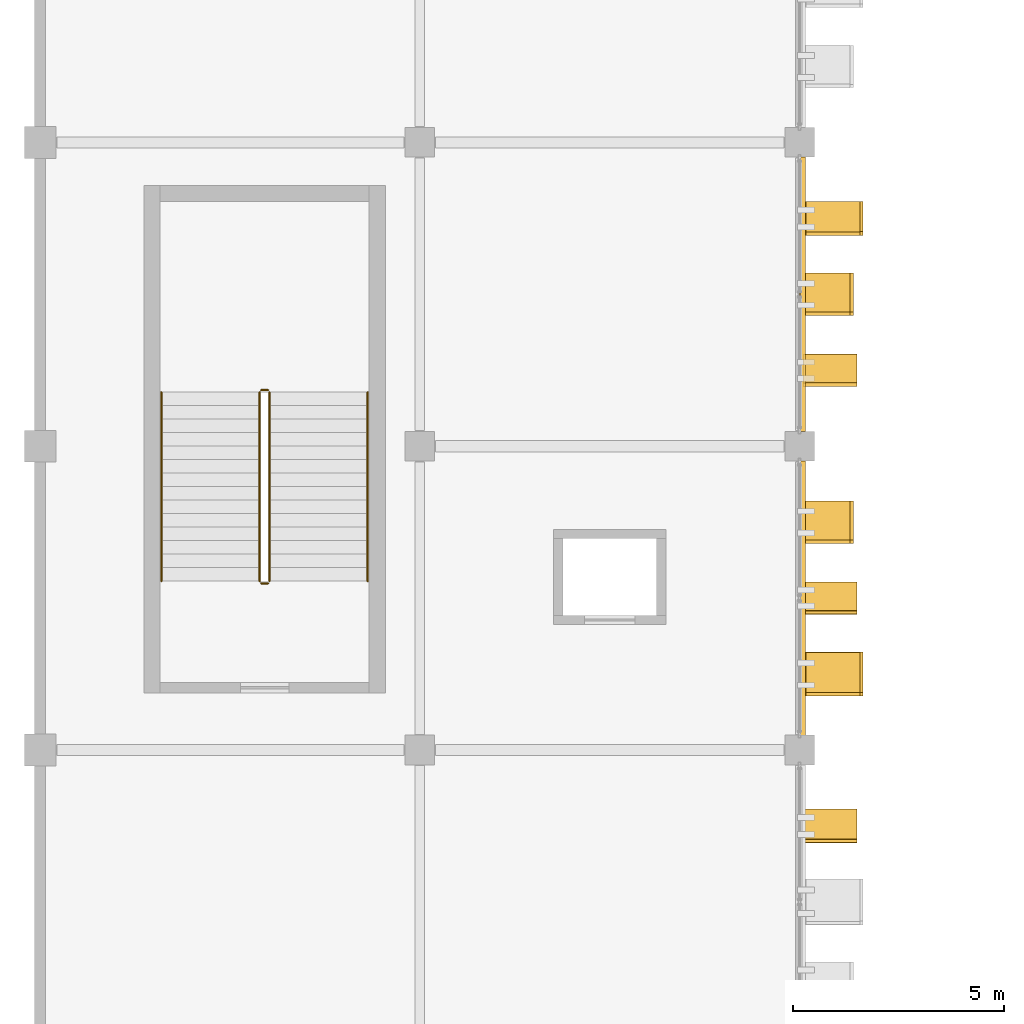
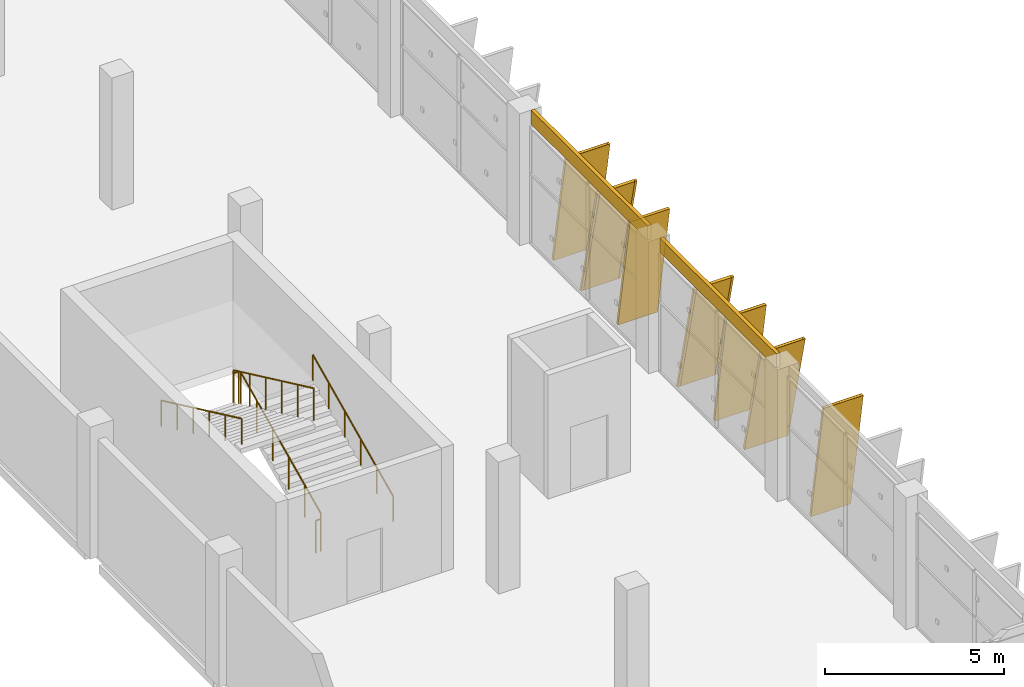
# One storey, part 135 of 151: 9 coverings, 7 shading devices, 6 railings.
"""IFC4 building model written with IfcOpenShell, lengths in metres."""

import ifcopenshell
import ifcopenshell.guid

model = None  # the IFC model being written
_history = None  # IfcOwnerHistory: only IFC2X3 demands one
_inside = {}  # id of a spatial element -> (the spatial element, [elements in it])
_under = {}  # id of a project, library or spatial element -> (it, [spatial elements below it])
_declared = {}  # id of a project -> (the project, [libraries it declares])
_typed = {}  # id of a type object -> (the type object, [elements of that type])
_made_of = {}  # id of a material, layer set ... -> (it, [elements and type objects made of it])


def new_model(schema):
    """Start an empty IFC model of exactly this schema.

    Asked for "IFC4X3", IfcOpenShell would pick the latest addendum, in which some entities
    have other attributes; the version numbers below select the first issue.
    IFC2X3 requires an IfcOwnerHistory on every rooted entity: one is made here for all.
    """
    global model, _history
    if schema == "IFC4X3":
        model = ifcopenshell.file(schema_version=(4, 3, 0, 0))
    else:
        model = ifcopenshell.file(schema=schema)
    _inside.clear()
    _under.clear()
    _declared.clear()
    _typed.clear()
    _made_of.clear()
    _history = None
    if model.schema == "IFC2X3":
        org = make("IfcOrganization", Name="unknown")
        user = make(
            "IfcPersonAndOrganization",
            ThePerson=make("IfcPerson", FamilyName="unknown"),
            TheOrganization=org,
        )
        app = make(
            "IfcApplication",
            ApplicationDeveloper=org,
            Version="unknown",
            ApplicationFullName="unknown",
            ApplicationIdentifier="unknown",
        )
        _history = make(
            "IfcOwnerHistory",
            OwningUser=user,
            OwningApplication=app,
            ChangeAction="ADDED",
            CreationDate=0,
        )
    return model


def make(cls, **values):
    """One entity of the class cls with the attributes given. An attribute that is None is left unset."""
    return model.create_entity(
        cls, **{name: value for name, value in values.items() if value is not None}
    )


def rooted(cls, **values):
    """An entity with a GlobalId (a new one), such as an element, a storey or a relation."""
    return make(cls, GlobalId=ifcopenshell.guid.new(), OwnerHistory=_history, **values)


def si_unit(unit_type, name, prefix=None):
    """IfcSIUnit, for example si_unit("LENGTHUNIT", "METRE", prefix="MILLI")."""
    return make("IfcSIUnit", UnitType=unit_type, Prefix=prefix, Name=name)


def assignment(units):
    """IfcUnitAssignment: the units of a project."""
    return None if units is None else make("IfcUnitAssignment", Units=units)


def point(xyz):
    """IfcCartesianPoint."""
    return None if xyz is None else make("IfcCartesianPoint", Coordinates=xyz)


def direction(xyz):
    """IfcDirection."""
    return None if xyz is None else make("IfcDirection", DirectionRatios=xyz)


def frame(location, z_axis=None, x_axis=None):
    """IfcAxis2Placement3D, a coordinate frame: its origin and axes. An axis left out is left unset."""
    return make(
        "IfcAxis2Placement3D",
        Location=point(location),
        Axis=direction(z_axis),
        RefDirection=direction(x_axis),
    )


def frame_2d(location, x_axis=None):
    """IfcAxis2Placement2D, a coordinate frame in the plane: its origin and x axis."""
    return make(
        "IfcAxis2Placement2D", Location=point(location), RefDirection=direction(x_axis)
    )


def origin():
    """The frame at (0, 0, 0) with its axes left unset."""
    return frame((0.0, 0.0, 0.0))


def origin_2d():
    """The frame at (0, 0) in the plane with its x axis left unset."""
    return frame_2d((0.0, 0.0))


def place(relative_to, where):
    """IfcLocalPlacement: puts the frame where relative to a parent placement (None: the world)."""
    return make(
        "IfcLocalPlacement", PlacementRelTo=relative_to, RelativePlacement=where
    )


def context(
    kind, dimensions, precision=None, world=None, true_north=None, identifier=None
):
    """IfcGeometricRepresentationContext, for example the 3D "Model" context."""
    return make(
        "IfcGeometricRepresentationContext",
        ContextIdentifier=identifier,
        ContextType=kind,
        CoordinateSpaceDimension=dimensions,
        Precision=precision,
        WorldCoordinateSystem=world,
        TrueNorth=true_north,
    )


def subcontext(parent, identifier, kind, view, scale=None):
    """IfcGeometricRepresentationSubContext, for example "Body" below "Model"."""
    return make(
        "IfcGeometricRepresentationSubContext",
        ContextIdentifier=identifier,
        ContextType=kind,
        ParentContext=parent,
        TargetScale=scale,
        TargetView=view,
    )


def project(units=None, contexts=None):
    """IfcProject with its units and contexts."""
    return rooted(
        "IfcProject",
        Name="project",
        RepresentationContexts=contexts,
        UnitsInContext=assignment(units),
    )


def spatial(cls, under=None, at=None, **own):
    """A site, building, storey or space (cls), placed at a placement, below another one or the project."""
    s = rooted(cls, ObjectPlacement=at, **own)
    if under is not None:
        _under.setdefault(under.id(), (under, []))[1].append(s)
    return s


def profile(cls, at=None, kind="AREA", **sizes):
    """A parametric profile (cls). Its sizes go by their IFC names, for example OverallWidth=200.0."""
    return make(cls, ProfileType=kind, Position=at, **sizes)


def rectangle(**sizes):
    """IfcRectangleProfileDef."""
    return profile("IfcRectangleProfileDef", **sizes)


def circle(**sizes):
    """IfcCircleProfileDef."""
    return profile("IfcCircleProfileDef", **sizes)


def extrude(swept, where, along, depth):
    """IfcExtrudedAreaSolid: the profile swept, set in the frame where, extruded along a direction by depth."""
    return make(
        "IfcExtrudedAreaSolid",
        SweptArea=swept,
        Position=where,
        ExtrudedDirection=direction(along),
        Depth=depth,
    )


def shape(context_of_items, identifier, shape_type, items):
    """IfcShapeRepresentation: the items that make up one representation, for example the "Body"."""
    return make(
        "IfcShapeRepresentation",
        ContextOfItems=context_of_items,
        RepresentationIdentifier=identifier,
        RepresentationType=shape_type,
        Items=items,
    )


def material(Name=None, Category=None):
    """IfcMaterial."""
    return make("IfcMaterial", Name=Name, Category=Category)


def layer(
    of_material, thickness, ventilated=None, Name=None, Category=None, Priority=None
):
    """IfcMaterialLayer: one layer of a wall or slab, of a material (None: an air gap)."""
    return make(
        "IfcMaterialLayer",
        Material=of_material,
        LayerThickness=thickness,
        IsVentilated=ventilated,
        Name=Name,
        Category=Category,
        Priority=Priority,
    )


def layer_set(layers, Name=None):
    """IfcMaterialLayerSet."""
    return make("IfcMaterialLayerSet", MaterialLayers=layers, LayerSetName=Name)


def material_profile(
    of_material, cross_section, Name=None, Category=None, Priority=None
):
    """IfcMaterialProfile: a cross section and its material."""
    return make(
        "IfcMaterialProfile",
        Name=Name,
        Material=of_material,
        Profile=cross_section,
        Priority=Priority,
        Category=Category,
    )


def profile_set(profiles, Name=None, composite=None):
    """IfcMaterialProfileSet."""
    return make(
        "IfcMaterialProfileSet",
        Name=Name,
        MaterialProfiles=profiles,
        CompositeProfile=composite,
    )


def made_of(thing, what):
    """Note that an element or type object is made of a material, layer set ...; save() writes the relation."""
    if what is not None:
        _made_of.setdefault(what.id(), (what, []))[1].append(thing)
    return thing


def type_object(cls, material=None, **own):
    """A type object (cls), such as IfcWallType, which elements share."""
    return made_of(rooted(cls, **own), material)


def element(
    cls,
    number,
    at=None,
    inside=None,
    cuts=None,
    type_object=None,
    material=None,
    context=None,
    identifier="Body",
    shape_type=None,
    held_by="IfcProductDefinitionShape",
    body=None,
    shapes=None,
    **own,
):
    """One element of the class cls, such as IfcWall. Its Tag is "e" and its number.

    at: its placement. inside: the storey or other place that contains it. cuts: it is an
    opening in that element (IfcRelVoidsElement). A single representation is given by context,
    identifier, shape_type and body (its items); several are given by shapes. held_by: the class
    of the entity that holds the representations. save() writes the other relations.
    """
    e = rooted(cls, Tag="e%d" % number, ObjectPlacement=at, **own)
    if body is not None:
        shapes = [shape(context, identifier, shape_type, body)]
    if shapes is not None:
        e.Representation = make(held_by, Representations=shapes)
    if inside is not None:
        _inside.setdefault(inside.id(), (inside, []))[1].append(e)
    if cuts is not None:
        rooted(
            "IfcRelVoidsElement", RelatingBuildingElement=cuts, RelatedOpeningElement=e
        )
    if type_object is not None:
        _typed.setdefault(type_object.id(), (type_object, []))[1].append(e)
    return made_of(e, material)


def aggregate(whole, parts):
    """IfcRelAggregates: a whole, such as a stair, and the parts it consists of."""
    return rooted("IfcRelAggregates", RelatingObject=whole, RelatedObjects=parts)


def save(model, path):
    """Write the relations noted so far, then the file.

    IfcRelAggregates (storeys below a building ...), IfcRelContainedInSpatialStructure (elements
    in a storey), IfcRelDefinesByType, IfcRelAssociatesMaterial and IfcRelDeclares: one each for
    every whole, place, type object, material and project.
    """
    for whole, parts in _under.values():
        aggregate(whole, parts)
    for where, things in _inside.values():
        rooted(
            "IfcRelContainedInSpatialStructure",
            RelatedElements=things,
            RelatingStructure=where,
        )
    for kind, things in _typed.values():
        rooted("IfcRelDefinesByType", RelatedObjects=things, RelatingType=kind)
    for what, things in _made_of.values():
        rooted("IfcRelAssociatesMaterial", RelatedObjects=things, RelatingMaterial=what)
    for by, libraries in _declared.values():
        rooted("IfcRelDeclares", RelatingContext=by, RelatedDefinitions=libraries)
    model.write(path)


model = new_model("IFC4")

# Units and contexts
model_context = context("Model", 3, precision=1e-05, world=origin(), true_north=direction((0.0, 1.0)))
body_context = subcontext(model_context, "Body", "Model", "MODEL_VIEW")
ifc_project = project(units=[si_unit("LENGTHUNIT", "METRE"), si_unit("AREAUNIT", "SQUARE_METRE"), si_unit("VOLUMEUNIT", "CUBIC_METRE"), si_unit("PLANEANGLEUNIT", "RADIAN"), si_unit("MASSUNIT", "GRAM", prefix="KILO")], contexts=[model_context])

# Site, building, storey
site_placement = place(None, origin())
site = spatial("IfcSite", under=ifc_project, at=site_placement, CompositionType="ELEMENT")
building_placement = place(site_placement, origin())
building = spatial("IfcBuilding", under=site, at=building_placement, Name="Celestram Park Convention Centre", CompositionType="ELEMENT")
storey_placement = place(building_placement, frame((0.0, 0.0, 10.800048828125)))
storey = spatial("IfcBuildingStorey", under=building, at=storey_placement, Name="L02", CompositionType="ELEMENT", Elevation=10.800048828125)

# Coverings
ifc_material_1 = material(Name="Anodised Bronze Aluminium Spandrel Cladding", Category="aluminium")
ifc_layer_1 = layer(ifc_material_1, 0.050048828125)
ifc_layer_set_1 = layer_set([ifc_layer_1], Name="Anodised Bronze Aluminium Spandrel Cladding")
covering_type_1 = type_object("IfcCoveringType", Name="ARC-COV-CLD060", PredefinedType="CLADDING", material=ifc_layer_set_1)
for number, where, z_axis, x_axis, name in (
    (1, (144.080078125, 61.199951171875, 4.02001953125), (0.0, 0.0, 1.0), (0.0, -1.0, 0.0), "Bronze spandrel cladding CL-L02-189"),
    (2, (144.080078125, 54.0, 4.02001953125), (0.0, 0.0, 1.0), (0.0, -1.0, 0.0), "Bronze spandrel cladding CL-L02-190"),
):
    element("IfcCovering", number, at=place(storey_placement, frame(where, z_axis=z_axis, x_axis=x_axis)), inside=storey, type_object=covering_type_1, Name=name, PredefinedType="CLADDING", context=body_context, shape_type="SweptSolid", body=[
        extrude(rectangle(XDim=6.50390625, YDim=0.1201171875, at=origin_2d()), origin(), (0.0, 0.0, 1.0), 0.47998046875),
    ])
ifc_material_2 = material(Name="Timber-Toned Anodised Aluminium Alloy 6063-T6", Category="wood")
ifc_material_profile_1 = material_profile(ifc_material_2, rectangle(XDim=1.1201171875, YDim=0.090087890625, at=origin_2d()), Name="REED1120X90")
ifc_profile_set_1 = profile_set([ifc_material_profile_1], Name="Timber-Toned Anodised Aluminium Alloy 6063-T6")
covering_type_2 = type_object("IfcCoveringType", Name="ARC-COV-FIN1120", PredefinedType="CLADDING", material=ifc_profile_set_1)
for number, where, z_axis, x_axis, name in (
    (3, (144.639892578125, 61.662353515625, 0.059326171875), (0.0, -0.231722551383, 0.972781917585), (1.0, 0.0, 0.0), "Leaning timber-toned reed fin RFN-L02-0594"),
    (4, (144.639892578125, 56.26220703125, 0.059326171875), (0.0, -0.231722551383, 0.972781917585), (1.0, 0.0, 0.0), "Leaning timber-toned reed fin RFN-L02-0596"),
):
    element("IfcCovering", number, at=place(storey_placement, frame(where, z_axis=z_axis, x_axis=x_axis)), inside=storey, type_object=covering_type_2, Name=name, PredefinedType="CLADDING", context=body_context, shape_type="SweptSolid", body=[
        extrude(rectangle(XDim=1.1201171875, YDim=0.090087890625, at=origin_2d()), origin(), (0.0, 0.0, 1.0), 3.989990234375),
    ])
ifc_material_profile_2 = material_profile(ifc_material_2, rectangle(XDim=1.280029296875, YDim=0.090087890625, at=origin_2d()), Name="REED1280X90")
ifc_profile_set_2 = profile_set([ifc_material_profile_2], Name="Timber-Toned Anodised Aluminium Alloy 6063-T6")
covering_type_3 = type_object("IfcCoveringType", Name="ARC-COV-FIN1280", PredefinedType="CLADDING", material=ifc_profile_set_2)
for number, where, z_axis, x_axis, name in (
    (5, (144.719970703125, 59.739501953125, 0.033935546875), (0.0, -0.170220399589, 0.985406015591), (1.0, 0.0, 0.0), "Leaning timber-toned reed fin RFN-L02-0595"),
    (6, (144.719970703125, 54.339599609375, 0.033935546875), (0.0, -0.170220399589, 0.985406015591), (1.0, 0.0, 0.0), "Leaning timber-toned reed fin RFN-L02-0597"),
):
    element("IfcCovering", number, at=place(storey_placement, frame(where, z_axis=z_axis, x_axis=x_axis)), inside=storey, type_object=covering_type_3, Name=name, PredefinedType="CLADDING", context=body_context, shape_type="SweptSolid", body=[
        extrude(rectangle(XDim=1.280029296875, YDim=0.090087890625, at=origin_2d()), origin(), (0.0, 0.0, 1.0), 3.990234375),
    ])
covering_1_placement = place(storey_placement, frame((144.719970703125, 48.95654296875, 0.03564453125), z_axis=(0.0, -0.170207410863, 0.985408259194), x_axis=(1.0, 0.0, 0.0)))
element("IfcCovering", 7, at=covering_1_placement, inside=storey, type_object=covering_type_3, Name="Leaning timber-toned reed fin RFN-L02-0599", PredefinedType="CLADDING", context=body_context, shape_type="SweptSolid", body=[
    extrude(rectangle(XDim=1.280029296875, YDim=0.090087890625, at=origin_2d()), origin(), (0.0, 0.0, 1.0), 4.189697265625),
])
ifc_material_profile_3 = material_profile(ifc_material_2, rectangle(XDim=1.419921875, YDim=0.090087890625, at=origin_2d()), Name="REED1420X90")
ifc_profile_set_3 = profile_set([ifc_material_profile_3], Name="Timber-Toned Anodised Aluminium Alloy 6063-T6")
covering_type_4 = type_object("IfcCoveringType", Name="ARC-COV-FIN1420", PredefinedType="CLADDING", material=ifc_profile_set_3)
covering_2_placement = place(storey_placement, frame((144.7900390625, 63.360107421875, 0.037841796875), z_axis=(0.0, -0.180511387282, 0.983572894635), x_axis=(1.0, 0.0, 0.0)))
element("IfcCovering", 8, at=covering_2_placement, inside=storey, type_object=covering_type_4, Name="Leaning timber-toned reed fin RFN-L02-0593", PredefinedType="CLADDING", context=body_context, shape_type="SweptSolid", body=[
    extrude(rectangle(XDim=1.419921875, YDim=0.090087890625, at=origin_2d()), origin(), (0.0, 0.0, 1.0), 3.98974609375),
])
covering_3_placement = place(storey_placement, frame((144.7900390625, 52.67578125, 0.0625), z_axis=(0.0, -0.238516635893, 0.971138411558), x_axis=(1.0, 0.0, 0.0)))
element("IfcCovering", 9, at=covering_3_placement, inside=storey, type_object=covering_type_4, Name="Leaning timber-toned reed fin RFN-L02-0598", PredefinedType="CLADDING", context=body_context, shape_type="SweptSolid", body=[
    extrude(rectangle(XDim=1.419921875, YDim=0.090087890625, at=origin_2d()), origin(), (0.0, 0.0, 1.0), 3.989990234375),
])

# Shading devices
ifc_material_3 = material(Name="Anodised Bronze Aluminium Alloy 6063-T6", Category="aluminium")
ifc_material_profile_4 = material_profile(ifc_material_3, rectangle(XDim=1.280029296875, YDim=0.080078125, at=origin_2d()), Name="FIN1280X80")
ifc_profile_set_4 = profile_set([ifc_material_profile_4], Name="Anodised Bronze Aluminium Alloy 6063-T6")
shading_device_type = type_object("IfcShadingDeviceType", Name="ARC-FIN-BZ1280", PredefinedType="USERDEFINED", material=ifc_profile_set_4)
shading_device_1_placement = place(storey_placement, frame((144.7900390625, 63.360107421875, 0.037841796875), z_axis=(0.0, -0.180511387282, 0.983572894635), x_axis=(1.0, 0.0, 0.0)))
element("IfcShadingDevice", 10, at=shading_device_1_placement, inside=storey, type_object=shading_device_type, Name="Expressive solar fin FN-L02-0593", ObjectType="SOLAR_FIN", PredefinedType="USERDEFINED", context=body_context, shape_type="SweptSolid", body=[
    extrude(rectangle(XDim=1.280029296875, YDim=0.080078125, at=origin_2d()), origin(), (0.0, 0.0, 1.0), 3.98974609375),
])
shading_device_2_placement = place(storey_placement, frame((144.639892578125, 61.662353515625, 0.059326171875), z_axis=(0.0, -0.231722551383, 0.972781917585), x_axis=(1.0, 0.0, 0.0)))
element("IfcShadingDevice", 11, at=shading_device_2_placement, inside=storey, type_object=shading_device_type, Name="Expressive solar fin FN-L02-0594", ObjectType="SOLAR_FIN", PredefinedType="USERDEFINED", context=body_context, shape_type="SweptSolid", body=[
    extrude(rectangle(XDim=1.280029296875, YDim=0.080078125, at=origin_2d()), origin(), (0.0, 0.0, 1.0), 3.989990234375),
])
shading_device_3_placement = place(storey_placement, frame((144.719970703125, 59.739501953125, 0.033935546875), z_axis=(0.0, -0.170220399589, 0.985406015591), x_axis=(1.0, 0.0, 0.0)))
element("IfcShadingDevice", 12, at=shading_device_3_placement, inside=storey, type_object=shading_device_type, Name="Expressive solar fin FN-L02-0595", ObjectType="SOLAR_FIN", PredefinedType="USERDEFINED", context=body_context, shape_type="SweptSolid", body=[
    extrude(rectangle(XDim=1.280029296875, YDim=0.080078125, at=origin_2d()), origin(), (0.0, 0.0, 1.0), 3.990234375),
])
shading_device_4_placement = place(storey_placement, frame((144.639892578125, 56.26220703125, 0.059326171875), z_axis=(0.0, -0.231722551383, 0.972781917585), x_axis=(1.0, 0.0, 0.0)))
element("IfcShadingDevice", 13, at=shading_device_4_placement, inside=storey, type_object=shading_device_type, Name="Expressive solar fin FN-L02-0596", ObjectType="SOLAR_FIN", PredefinedType="USERDEFINED", context=body_context, shape_type="SweptSolid", body=[
    extrude(rectangle(XDim=1.280029296875, YDim=0.080078125, at=origin_2d()), origin(), (0.0, 0.0, 1.0), 3.989990234375),
])
shading_device_5_placement = place(storey_placement, frame((144.719970703125, 54.339599609375, 0.033935546875), z_axis=(0.0, -0.170220399589, 0.985406015591), x_axis=(1.0, 0.0, 0.0)))
element("IfcShadingDevice", 14, at=shading_device_5_placement, inside=storey, type_object=shading_device_type, Name="Expressive solar fin FN-L02-0597", ObjectType="SOLAR_FIN", PredefinedType="USERDEFINED", context=body_context, shape_type="SweptSolid", body=[
    extrude(rectangle(XDim=1.280029296875, YDim=0.080078125, at=origin_2d()), origin(), (0.0, 0.0, 1.0), 3.990234375),
])
shading_device_6_placement = place(storey_placement, frame((144.7900390625, 52.67578125, 0.0625), z_axis=(0.0, -0.238516635893, 0.971138411558), x_axis=(1.0, 0.0, 0.0)))
element("IfcShadingDevice", 15, at=shading_device_6_placement, inside=storey, type_object=shading_device_type, Name="Expressive solar fin FN-L02-0598", ObjectType="SOLAR_FIN", PredefinedType="USERDEFINED", context=body_context, shape_type="SweptSolid", body=[
    extrude(rectangle(XDim=1.280029296875, YDim=0.080078125, at=origin_2d()), origin(), (0.0, 0.0, 1.0), 3.989990234375),
])
shading_device_7_placement = place(storey_placement, frame((144.719970703125, 48.95654296875, 0.03564453125), z_axis=(0.0, -0.170207410863, 0.985408259194), x_axis=(1.0, 0.0, 0.0)))
element("IfcShadingDevice", 16, at=shading_device_7_placement, inside=storey, type_object=shading_device_type, Name="Expressive solar fin FN-L02-0599", ObjectType="SOLAR_FIN", PredefinedType="USERDEFINED", context=body_context, shape_type="SweptSolid", body=[
    extrude(rectangle(XDim=1.280029296875, YDim=0.080078125, at=origin_2d()), origin(), (0.0, 0.0, 1.0), 4.189697265625),
])

# Railings
ifc_material_4 = material(Name="Stainless Steel AISI 316L & Laminated Glass", Category="steel")
ifc_layer_2 = layer(ifc_material_4, 0.06005859375)
ifc_layer_set_2 = layer_set([ifc_layer_2], Name="Stainless Steel AISI 316L & Laminated Glass")
railing_type_1 = type_object("IfcRailingType", Name="ARC-RL-GRD1120", PredefinedType="GUARDRAIL", material=ifc_layer_set_2)
railing_1_placement = place(storey_placement, frame((131.43603515625, 54.39990234375, 0.14990234375)))
element("IfcRailing", 17, at=railing_1_placement, inside=storey, type_object=railing_type_1, Name="L02 ST-04 stair guard 1", PredefinedType="GUARDRAIL", context=body_context, shape_type="SweptSolid", body=[
    extrude(circle(Radius=0.02392578125, at=origin_2d()), frame((0.0, 0.0, 1.09619140625), z_axis=(0.0, 0.905450639465, 0.424451574969), x_axis=(-1.0, 0.0, 0.0)), (0.0, 0.0, 1.0), 4.94775390625),
    extrude(circle(Radius=0.02099609375, at=origin_2d()), origin(), (0.0, 0.0, 1.0), 1.072021484375),
    extrude(circle(Radius=0.02099609375, at=origin_2d()), frame((0.0, 0.89599609375, 0.419921875)), (0.0, 0.0, 1.0), 1.072021484375),
    extrude(circle(Radius=0.02099609375, at=origin_2d()), frame((0.0, 1.7919921875, 0.840087890625)), (0.0, 0.0, 1.0), 1.072021484375),
    extrude(circle(Radius=0.02099609375, at=origin_2d()), frame((0.0, 2.68798828125, 1.260009765625)), (0.0, 0.0, 1.0), 1.072021484375),
    extrude(circle(Radius=0.02099609375, at=origin_2d()), frame((0.0, 3.583984375, 1.68017578125)), (0.0, 0.0, 1.0), 1.072021484375),
    extrude(circle(Radius=0.02099609375, at=origin_2d()), frame((0.0, 4.47998046875, 2.10009765625)), (0.0, 0.0, 1.0), 1.072021484375),
])
railing_2_placement = place(storey_placement, frame((131.39990234375, 58.929931640625, 2.25)))
element("IfcRailing", 18, at=railing_2_placement, inside=storey, type_object=railing_type_1, Name="L02 ST-04 stair guard 2", PredefinedType="GUARDRAIL", context=body_context, shape_type="SweptSolid", body=[
    extrude(circle(Radius=0.02392578125, at=origin_2d()), frame((0.0, 0.0, 1.09619140625), z_axis=(-1.0, 0.0, 0.0), x_axis=(0.0, -1.0, 0.0)), (0.0, 0.0, 1.0), 0.159912109375),
    extrude(circle(Radius=0.02099609375, at=origin_2d()), origin(), (0.0, 0.0, 1.0), 1.072021484375),
    extrude(circle(Radius=0.02099609375, at=origin_2d()), frame((-0.159912109375, 0.0, 0.0)), (0.0, 0.0, 1.0), 1.072021484375),
])
railing_3_placement = place(storey_placement, frame((131.2041015625, 58.8798828125, 2.39990234375)))
element("IfcRailing", 19, at=railing_3_placement, inside=storey, type_object=railing_type_1, Name="L02 ST-04 stair guard 3", PredefinedType="GUARDRAIL", context=body_context, shape_type="SweptSolid", body=[
    extrude(circle(Radius=0.02392578125, at=origin_2d()), frame((0.0, 0.0, 1.09619140625), z_axis=(0.0, -0.905450639465, 0.424451574969), x_axis=(1.0, 0.0, 0.0)), (0.0, 0.0, 1.0), 4.94775390625),
    extrude(circle(Radius=0.02099609375, at=origin_2d()), origin(), (0.0, 0.0, 1.0), 1.072021484375),
    extrude(circle(Radius=0.02099609375, at=origin_2d()), frame((0.0, -0.89599609375, 0.419921875)), (0.0, 0.0, 1.0), 1.072021484375),
    extrude(circle(Radius=0.02099609375, at=origin_2d()), frame((0.0, -1.7919921875, 0.840087890625)), (0.0, 0.0, 1.0), 1.072021484375),
    extrude(circle(Radius=0.02099609375, at=origin_2d()), frame((0.0, -2.68798828125, 1.260009765625)), (0.0, 0.0, 1.0), 1.072021484375),
    extrude(circle(Radius=0.02099609375, at=origin_2d()), frame((0.0, -3.583984375, 1.68017578125)), (0.0, 0.0, 1.0), 1.072021484375),
    extrude(circle(Radius=0.02099609375, at=origin_2d()), frame((0.0, -4.47998046875, 2.10009765625)), (0.0, 0.0, 1.0), 1.072021484375),
])
railing_4_placement = place(storey_placement, frame((131.39990234375, 54.35009765625, 0.0)))
element("IfcRailing", 20, at=railing_4_placement, inside=storey, type_object=railing_type_1, Name="L02 ST-04 stair guard 4", PredefinedType="GUARDRAIL", context=body_context, shape_type="SweptSolid", body=[
    extrude(circle(Radius=0.02392578125, at=origin_2d()), frame((0.0, 0.0, 1.09619140625), z_axis=(-1.0, 0.0, 0.0), x_axis=(0.0, -1.0, 0.0)), (0.0, 0.0, 1.0), 0.159912109375),
    extrude(circle(Radius=0.02099609375, at=origin_2d()), origin(), (0.0, 0.0, 1.0), 1.072021484375),
    extrude(circle(Radius=0.02099609375, at=origin_2d()), frame((-0.159912109375, 0.0, 0.0)), (0.0, 0.0, 1.0), 1.072021484375),
])
ifc_material_5 = material(Name="Brushed Stainless Steel AISI 304", Category="steel")
ifc_layer_3 = layer(ifc_material_5, 0.048095703125)
ifc_layer_set_3 = layer_set([ifc_layer_3], Name="Brushed Stainless Steel AISI 304")
railing_type_2 = type_object("IfcRailingType", Name="ARC-RL-HND915", PredefinedType="HANDRAIL", material=ifc_layer_set_3)
railing_5_placement = place(storey_placement, frame((133.763916015625, 54.39990234375, 0.14990234375)))
element("IfcRailing", 21, at=railing_5_placement, inside=storey, type_object=railing_type_2, Name="L02 ST-04 stair handrail 1", PredefinedType="HANDRAIL", context=body_context, shape_type="SweptSolid", body=[
    extrude(circle(Radius=0.02392578125, at=origin_2d()), frame((0.0, 0.0, 0.8759765625), z_axis=(0.0, 0.905450639465, 0.424451574969), x_axis=(-1.0, 0.0, 0.0)), (0.0, 0.0, 1.0), 4.94775390625),
    extrude(circle(Radius=0.02099609375, at=origin_2d()), origin(), (0.0, 0.0, 1.0), 0.851806640625),
    extrude(circle(Radius=0.02099609375, at=origin_2d()), frame((0.0, 0.89599609375, 0.419921875)), (0.0, 0.0, 1.0), 0.851806640625),
    extrude(circle(Radius=0.02099609375, at=origin_2d()), frame((0.0, 1.7919921875, 0.840087890625)), (0.0, 0.0, 1.0), 0.851806640625),
    extrude(circle(Radius=0.02099609375, at=origin_2d()), frame((0.0, 2.68798828125, 1.260009765625)), (0.0, 0.0, 1.0), 0.851806640625),
    extrude(circle(Radius=0.02099609375, at=origin_2d()), frame((0.0, 3.583984375, 1.68017578125)), (0.0, 0.0, 1.0), 0.851806640625),
    extrude(circle(Radius=0.02099609375, at=origin_2d()), frame((0.0, 4.47998046875, 2.10009765625)), (0.0, 0.0, 1.0), 0.851806640625),
])
railing_6_placement = place(storey_placement, frame((128.8759765625, 58.8798828125, 2.39990234375)))
element("IfcRailing", 22, at=railing_6_placement, inside=storey, type_object=railing_type_2, Name="L02 ST-04 stair handrail 2", PredefinedType="HANDRAIL", context=body_context, shape_type="SweptSolid", body=[
    extrude(circle(Radius=0.02392578125, at=origin_2d()), frame((0.0, 0.0, 0.8759765625), z_axis=(0.0, -0.905450639465, 0.424451574969), x_axis=(1.0, 0.0, 0.0)), (0.0, 0.0, 1.0), 4.94775390625),
    extrude(circle(Radius=0.02099609375, at=origin_2d()), origin(), (0.0, 0.0, 1.0), 0.851806640625),
    extrude(circle(Radius=0.02099609375, at=origin_2d()), frame((0.0, -0.89599609375, 0.419921875)), (0.0, 0.0, 1.0), 0.851806640625),
    extrude(circle(Radius=0.02099609375, at=origin_2d()), frame((0.0, -1.7919921875, 0.840087890625)), (0.0, 0.0, 1.0), 0.851806640625),
    extrude(circle(Radius=0.02099609375, at=origin_2d()), frame((0.0, -2.68798828125, 1.260009765625)), (0.0, 0.0, 1.0), 0.851806640625),
    extrude(circle(Radius=0.02099609375, at=origin_2d()), frame((0.0, -3.583984375, 1.68017578125)), (0.0, 0.0, 1.0), 0.851806640625),
    extrude(circle(Radius=0.02099609375, at=origin_2d()), frame((0.0, -4.47998046875, 2.10009765625)), (0.0, 0.0, 1.0), 0.851806640625),
])

save(model, "model.ifc")
